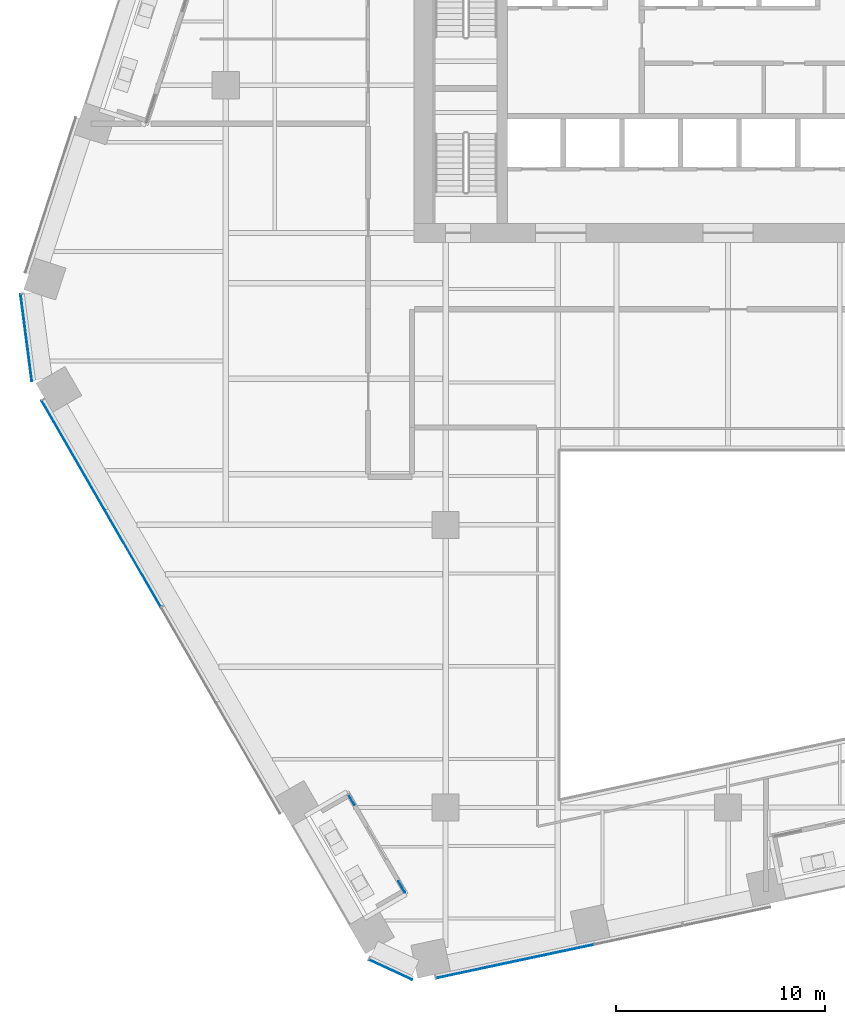
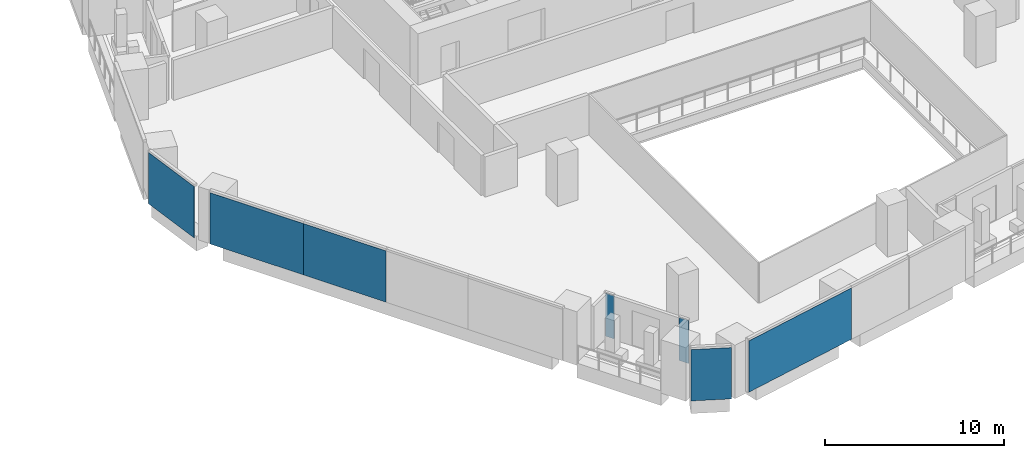
# One storey, part 16 of 28: 7 plates, 5 elements without a shape of their own.
"""IFC4 building model written with IfcOpenShell, lengths in metres."""

from ifc_helpers import new_model, si_unit, direction, frame, origin, origin_2d, place, context, subcontext, project, spatial, rectangle, extrude, material, layer, layer_set, type_object, element, aggregate, save


model = new_model("IFC4")

# Units and contexts
model_context = context("Model", 3, precision=1e-05, world=origin(), true_north=direction((0.0, 1.0)))
body_context = subcontext(model_context, "Body", "Model", "MODEL_VIEW")
ifc_project = project(units=[si_unit("LENGTHUNIT", "METRE"), si_unit("AREAUNIT", "SQUARE_METRE"), si_unit("VOLUMEUNIT", "CUBIC_METRE"), si_unit("PLANEANGLEUNIT", "RADIAN"), si_unit("MASSUNIT", "GRAM", prefix="KILO")], contexts=[model_context])

# Site, building, storey
site_placement = place(None, origin())
site = spatial("IfcSite", under=ifc_project, at=site_placement, CompositionType="ELEMENT")
building_placement = place(site_placement, origin())
building = spatial("IfcBuilding", under=site, at=building_placement, Name="Isthmus Gate Tower", CompositionType="ELEMENT")
storey_placement = place(building_placement, frame((0.0, 0.0, 98.89990234375)))
storey = spatial("IfcBuildingStorey", under=building, at=storey_placement, Name="L23", CompositionType="ELEMENT", Elevation=98.89990234375)

# Curtain wall, plate
ifc_material_1 = material(Name="Aluminium, pale champagne anodised", Category="aluminium")
ifc_layer_1 = layer(ifc_material_1, 0.199951171875)
ifc_layer_set_1 = layer_set([ifc_layer_1], Name="CW-1 UNITISED CURTAIN WALL 200 DEEP")
curtain_wall_type_1 = type_object("IfcCurtainWallType", Name="CW-1 UNITISED CURTAIN WALL 200 DEEP", PredefinedType="NOTDEFINED", material=ifc_layer_set_1)
curtain_wall_1_placement = place(storey_placement, origin())
curtain_wall_1 = element("IfcCurtainWall", 1, at=curtain_wall_1_placement, inside=storey, type_object=curtain_wall_type_1, Name="CW-1 NW-SW L23", PredefinedType="NOTDEFINED")
ifc_material_2 = material(Name="Laminated low-iron glass, pale blue tint", Category="glass")
ifc_layer_2 = layer(ifc_material_2, 0.0400390625)
ifc_layer_set_2 = layer_set([ifc_layer_2], Name="CW-1 CLEAR GLASS LITE 40")
plate_type_1 = type_object("IfcPlateType", Name="CW-1 CLEAR GLASS LITE 40", PredefinedType="CURTAIN_PANEL", material=ifc_layer_set_2)
plate_1_placement = place(storey_placement, frame((-33.5283203125, -4.558349609375, 0.0), z_axis=(0.0, 0.0, 1.0), x_axis=(0.129164534, -0.991623175988, 0.0)))
plate_1 = element("IfcPlate", 2, at=plate_1_placement, type_object=plate_type_1, Name="CW-1 glass lite", PredefinedType="CURTAIN_PANEL", context=body_context, shape_type="SweptSolid", body=[
    extrude(rectangle(XDim=4.181396484375, YDim=0.0400390625, at=origin_2d()), origin(), (0.0, 0.0, 1.0), 3.5),
])
aggregate(curtain_wall_1, [plate_1])

# Curtain wall, plates
curtain_wall_2_placement = place(storey_placement, origin())
curtain_wall_2 = element("IfcCurtainWall", 3, at=curtain_wall_2_placement, inside=storey, type_object=curtain_wall_type_1, Name="CW-1 SW L23", PredefinedType="NOTDEFINED")
plate_2_placement = place(storey_placement, frame((-31.277587890625, -10.185791015625, 0.0), z_axis=(0.0, 0.0, 1.0), x_axis=(0.5, -0.866025403784, 0.0)))
plate_2 = element("IfcPlate", 4, at=plate_2_placement, type_object=plate_type_1, Name="CW-1 glass lite", PredefinedType="CURTAIN_PANEL", context=body_context, shape_type="SweptSolid", body=[
    extrude(rectangle(XDim=6.048583984375, YDim=0.0400390625, at=origin_2d()), origin(), (0.0, 0.0, 1.0), 3.5),
])
plate_3_placement = place(storey_placement, frame((-28.438232421875, -15.103759765625, 0.0), z_axis=(0.0, 0.0, 1.0), x_axis=(0.5, -0.866025403784, 0.0)))
plate_3 = element("IfcPlate", 5, at=plate_3_placement, type_object=plate_type_1, Name="CW-1 glass lite", PredefinedType="CURTAIN_PANEL", context=body_context, shape_type="SweptSolid", body=[
    extrude(rectangle(XDim=5.30859375, YDim=0.0400390625, at=origin_2d()), origin(), (0.0, 0.0, 1.0), 3.5),
])
aggregate(curtain_wall_2, [plate_2, plate_3])

# Curtain wall, plate
curtain_wall_3_placement = place(storey_placement, origin())
curtain_wall_3 = element("IfcCurtainWall", 6, at=curtain_wall_3_placement, inside=storey, type_object=curtain_wall_type_1, Name="CW-1 SW-S L23", PredefinedType="NOTDEFINED")
plate_4_placement = place(storey_placement, frame((-16.1298828125, -34.7451171875, 0.0), z_axis=(0.0, 0.0, 1.0), x_axis=(0.907256261367, -0.420578264073, 0.0)))
plate_4 = element("IfcPlate", 7, at=plate_4_placement, type_object=plate_type_1, Name="CW-1 glass lite", PredefinedType="CURTAIN_PANEL", context=body_context, shape_type="SweptSolid", body=[
    extrude(rectangle(XDim=2.258544921875, YDim=0.0400390625, at=origin_2d()), origin(), (0.0, 0.0, 1.0), 3.5),
])
aggregate(curtain_wall_3, [plate_4])

curtain_wall_4_placement = place(storey_placement, origin())
curtain_wall_4 = element("IfcCurtainWall", 8, at=curtain_wall_4_placement, inside=storey, type_object=curtain_wall_type_1, Name="CW-1 S L23", PredefinedType="NOTDEFINED")
plate_5_placement = place(storey_placement, frame((-10.166748046875, -34.344970703125, 0.0), z_axis=(0.0, 0.0, 1.0), x_axis=(0.978147600734, 0.207911690818, 0.0)))
plate_5 = element("IfcPlate", 9, at=plate_5_placement, type_object=plate_type_1, Name="CW-1 glass lite", PredefinedType="CURTAIN_PANEL", context=body_context, shape_type="SweptSolid", body=[
    extrude(rectangle(XDim=7.729248046875, YDim=0.0400390625, at=origin_2d()), origin(), (0.0, 0.0, 1.0), 3.5),
])
aggregate(curtain_wall_4, [plate_5])

# Curtain wall, plates
ifc_material_3 = material(Name="Aluminium, pale champagne anodised", Category="aluminium")
ifc_layer_3 = layer(ifc_material_3, 0.14990234375)
ifc_layer_set_3 = layer_set([ifc_layer_3], Name="CW-6 LOGGIA BACK WALL GLAZING 150 DEEP")
curtain_wall_type_2 = type_object("IfcCurtainWallType", Name="CW-6 LOGGIA BACK WALL GLAZING 150 DEEP", PredefinedType="NOTDEFINED", material=ifc_layer_set_3)
curtain_wall_5_placement = place(storey_placement, origin())
curtain_wall_5 = element("IfcCurtainWall", 10, at=curtain_wall_5_placement, inside=storey, type_object=curtain_wall_type_2, Name="CW-6 SW L23", PredefinedType="NOTDEFINED")
ifc_material_4 = material(Name="Laminated low-iron glass, clear", Category="glass")
ifc_layer_4 = layer(ifc_material_4, 0.031982421875)
ifc_layer_set_4 = layer_set([ifc_layer_4], Name="CW-6 CLEAR GLASS LITE 32")
plate_type_2 = type_object("IfcPlateType", Name="CW-6 CLEAR GLASS LITE 32", PredefinedType="CURTAIN_PANEL", material=ifc_layer_set_4)
plate_6_placement = place(storey_placement, frame((-17.991455078125, -26.637939453125, 0.0), z_axis=(0.0, 0.0, 1.0), x_axis=(0.5, -0.866025403784, 0.0)))
plate_6 = element("IfcPlate", 11, at=plate_6_placement, type_object=plate_type_2, Name="CW-6 glass lite", PredefinedType="CURTAIN_PANEL", context=body_context, shape_type="SweptSolid", body=[
    extrude(rectangle(XDim=0.561767578125, YDim=0.031982421875, at=origin_2d()), origin(), (0.0, 0.0, 1.0), 2.929931640625),
])
plate_7_placement = place(storey_placement, frame((-15.595458984375, -30.787841796875, 0.0), z_axis=(0.0, 0.0, 1.0), x_axis=(0.5, -0.866025403784, 0.0)))
plate_7 = element("IfcPlate", 12, at=plate_7_placement, type_object=plate_type_2, Name="CW-6 glass lite", PredefinedType="CURTAIN_PANEL", context=body_context, shape_type="SweptSolid", body=[
    extrude(rectangle(XDim=0.621826171875, YDim=0.031982421875, at=origin_2d()), origin(), (0.0, 0.0, 1.0), 2.929931640625),
])
aggregate(curtain_wall_5, [plate_6, plate_7])

save(model, "model.ifc")
